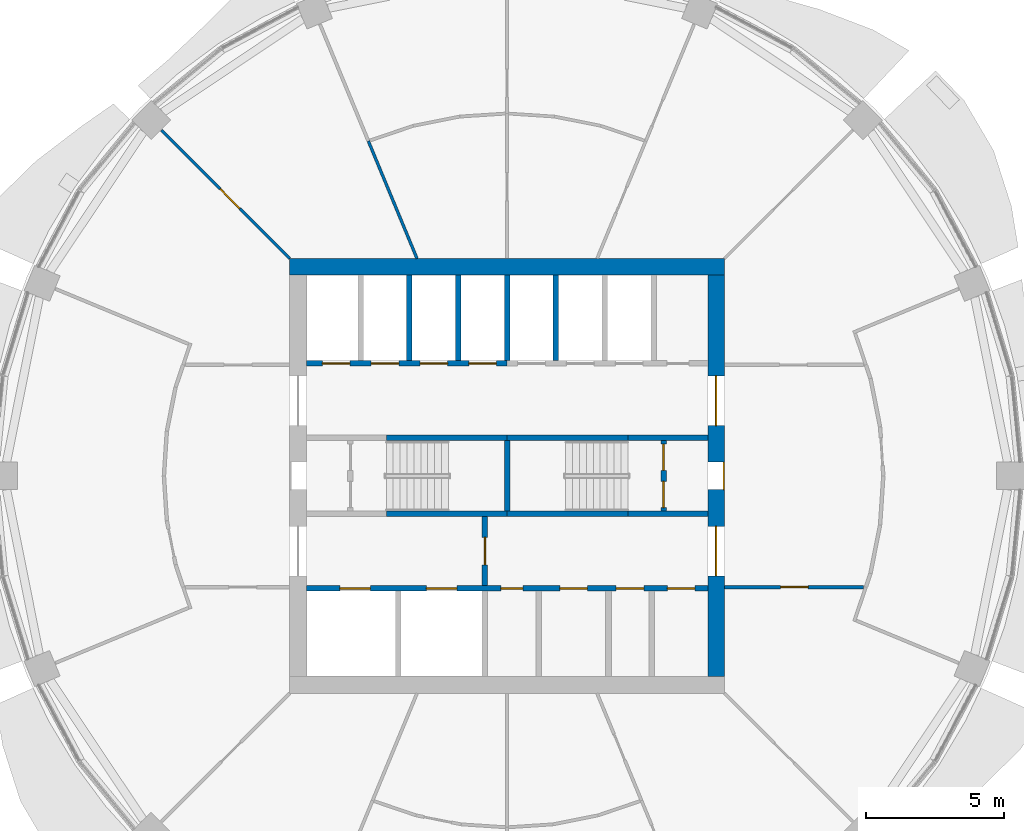
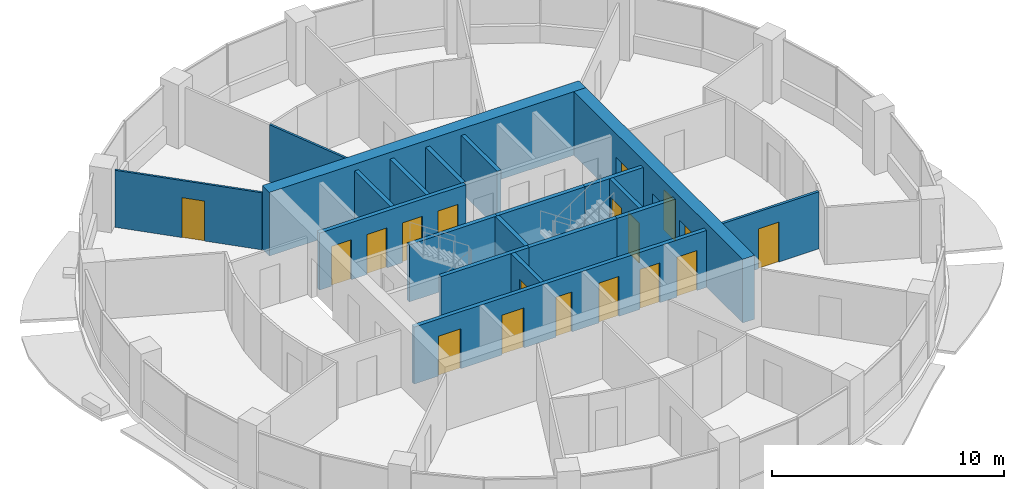
# One storey, part 9 of 15: 20 walls, 18 doors, 18 openings.
"""IFC4 building model written with IfcOpenShell, lengths in metres."""

from ifc_helpers import new_model, si_unit, direction, frame, frame_2d, origin, place, context, subcontext, project, spatial, rectangle, extrude, material, layer, layer_set, type_object, element, fill, save


model = new_model("IFC4")

# Units and contexts
model_context = context("Model", 3, precision=1e-05, world=origin(), true_north=direction((0.0, 1.0)))
body_context = subcontext(model_context, "Body", "Model", "MODEL_VIEW")
ifc_project = project(units=[si_unit("LENGTHUNIT", "METRE"), si_unit("AREAUNIT", "SQUARE_METRE"), si_unit("VOLUMEUNIT", "CUBIC_METRE"), si_unit("PLANEANGLEUNIT", "RADIAN"), si_unit("MASSUNIT", "GRAM", prefix="KILO")], contexts=[model_context])

# Site, building, storey
site_placement = place(None, origin())
site = spatial("IfcSite", under=ifc_project, at=site_placement, CompositionType="ELEMENT")
building_placement = place(site_placement, origin())
building = spatial("IfcBuilding", under=site, at=building_placement, Name="Polderwave Tower", CompositionType="ELEMENT")
storey_placement = place(building_placement, frame((0.0, 0.0, 154.449951171875)))
storey = spatial("IfcBuildingStorey", under=building, at=storey_placement, Name="L41", CompositionType="ELEMENT", Elevation=154.449951171875)

# Wall
ifc_material_1 = material(Name="Concrete C60/75", Category="concrete")
ifc_layer_1 = layer(ifc_material_1, 0.60009765625)
ifc_layer_set_1 = layer_set([ifc_layer_1], Name="CORE WALL 600 C60/75")
wall_type_1 = type_object("IfcWallType", Name="CORE WALL 600 C60/75", PredefinedType="SHEAR", material=ifc_layer_set_1)
wall_1_placement = place(storey_placement, frame((-7.8740234375, 7.573974609375, 0.0), z_axis=(0.0, 0.0, 1.0), x_axis=(1.0, 0.0, 0.0)))
element("IfcWall", 1, at=wall_1_placement, inside=storey, type_object=wall_type_1, Name="ST-CORE-L41-N", PredefinedType="SHEAR", context=body_context, shape_type="SweptSolid", body=[
    extrude(rectangle(XDim=15.748046875, YDim=0.60009765625, at=frame_2d((7.8740234375, 0.0))), origin(), (0.0, 0.0, 1.0), 3.35009765625),
])

# Wall, openings, doors
wall_2_placement = place(storey_placement, frame((7.573974609375, -7.27392578125, 0.0), z_axis=(0.0, 0.0, 1.0), x_axis=(0.0, 1.0, 0.0)))
wall_2 = element("IfcWall", 2, at=wall_2_placement, inside=storey, type_object=wall_type_1, Name="ST-CORE-L41-E", PredefinedType="SHEAR", context=body_context, shape_type="SweptSolid", body=[
    extrude(rectangle(XDim=14.5478515625, YDim=0.60009765625, at=frame_2d((7.27392578125, 0.0))), origin(), (0.0, 0.0, 1.0), 3.35009765625),
])
opening_1_placement = place(wall_2_placement, frame((6.77392578125, 0.0, 0.0)))
opening_1 = element("IfcOpeningElement", 3, at=opening_1_placement, cuts=wall_2, Name="Opening L41-D23", PredefinedType="OPENING", context=body_context, shape_type="SweptSolid", body=[
    extrude(rectangle(XDim=1.0, YDim=2.10009765625, at=frame_2d((0.5, 1.050048828125))), frame((0.0, 0.31005859375, 0.0), z_axis=(0.0, -1.0, 0.0), x_axis=(1.0, 0.0, 0.0)), (0.0, 0.0, 1.0), 0.6201171875),
])
opening_2_placement = place(wall_2_placement, frame((3.6494140625, 0.0, 0.0)))
opening_2 = element("IfcOpeningElement", 4, at=opening_2_placement, cuts=wall_2, Name="Opening L41-D24", PredefinedType="OPENING", context=body_context, shape_type="SweptSolid", body=[
    extrude(rectangle(XDim=1.800048828125, YDim=2.10009765625, at=frame_2d((0.89990234375, 1.050048828125))), frame((0.0, 0.31005859375, 0.0), z_axis=(0.0, -1.0, 0.0), x_axis=(1.0, 0.0, 0.0)), (0.0, 0.0, 1.0), 0.6201171875),
])
opening_3_placement = place(wall_2_placement, frame((9.098388671875, 0.0, 0.0)))
opening_3 = element("IfcOpeningElement", 5, at=opening_3_placement, cuts=wall_2, Name="Opening L41-D25", PredefinedType="OPENING", context=body_context, shape_type="SweptSolid", body=[
    extrude(rectangle(XDim=1.800048828125, YDim=2.10009765625, at=frame_2d((0.89990234375, 1.050048828125))), frame((0.0, 0.31005859375, 0.0), z_axis=(0.0, -1.0, 0.0), x_axis=(1.0, 0.0, 0.0)), (0.0, 0.0, 1.0), 0.6201171875),
])
ifc_material_2 = material(Name="Steel fire door", Category="steel")
door_type_1 = type_object("IfcDoorType", Name="Lobby entry door pair 1800", OperationType="DOUBLE_DOOR_SINGLE_SWING", PredefinedType="DOOR", material=ifc_material_2)
door_1_placement = place(opening_2_placement, frame((1.800048828125, 0.0, 0.0), z_axis=(0.0, 0.0, 1.0), x_axis=(-1.0, 0.0, 0.0)))
door_1 = element("IfcDoor", 6, at=door_1_placement, inside=storey, type_object=door_type_1, Name="South lobby entry door", OperationType="DOUBLE_DOOR_SINGLE_SWING", OverallHeight=2.10009765625, OverallWidth=1.800048828125, PredefinedType="DOOR", context=body_context, shape_type="SweptSolid", body=[
    extrude(rectangle(XDim=1.800048828125, YDim=2.10009765625, at=frame_2d((0.89990234375, 1.050048828125))), frame((0.0, 0.02490234375, 0.0), z_axis=(0.0, -1.0, 0.0), x_axis=(1.0, 0.0, 0.0)), (0.0, 0.0, 1.0), 0.050048828125),
])
fill(opening_2, door_1)
door_2_placement = place(opening_3_placement, frame((1.800048828125, 0.0, 0.0), z_axis=(0.0, 0.0, 1.0), x_axis=(-1.0, 0.0, 0.0)))
door_2 = element("IfcDoor", 7, at=door_2_placement, inside=storey, type_object=door_type_1, Name="North lobby entry door", OperationType="DOUBLE_DOOR_SINGLE_SWING", OverallHeight=2.10009765625, OverallWidth=1.800048828125, PredefinedType="DOOR", context=body_context, shape_type="SweptSolid", body=[
    extrude(rectangle(XDim=1.800048828125, YDim=2.10009765625, at=frame_2d((0.89990234375, 1.050048828125))), frame((0.0, 0.02490234375, 0.0), z_axis=(0.0, -1.0, 0.0), x_axis=(1.0, 0.0, 0.0)), (0.0, 0.0, 1.0), 0.050048828125),
])
fill(opening_3, door_2)
door_type_2 = type_object("IfcDoorType", Name="Stair door 1000", OperationType="NOTDEFINED", PredefinedType="DOOR", material=ifc_material_2)
door_3_placement = place(opening_1_placement, frame((1.0, 0.0, 0.0), z_axis=(0.0, 0.0, 1.0), x_axis=(-1.0, 0.0, 0.0)))
door_3 = element("IfcDoor", 8, at=door_3_placement, inside=storey, type_object=door_type_2, Name="Stair B entry door", OperationType="SINGLE_SWING_LEFT", OverallHeight=2.10009765625, OverallWidth=1.0, PredefinedType="DOOR", context=body_context, shape_type="SweptSolid", body=[
    extrude(rectangle(XDim=1.0, YDim=2.10009765625, at=frame_2d((0.5, 1.050048828125))), frame((0.0, 0.2998046875, 0.0), z_axis=(0.0, -1.0, 0.0), x_axis=(1.0, 0.0, 0.0)), (0.0, 0.0, 1.0), 0.050048828125),
])
fill(opening_1, door_3)

# Wall, opening, door
ifc_material_3 = material(Name="Gypsum board partition")
ifc_layer_2 = layer(ifc_material_3, 0.199951171875)
ifc_layer_set_2 = layer_set([ifc_layer_2], Name="Core room partition 200")
wall_type_2 = type_object("IfcWallType", Name="Core room partition 200", PredefinedType="PARTITIONING", material=ifc_layer_set_2)
wall_3_placement = place(storey_placement, frame((-0.800048828125, -3.97412109375, 0.0), z_axis=(0.0, 0.0, 1.0), x_axis=(0.0, 1.0, 0.0)))
wall_3 = element("IfcWall", 9, at=wall_3_placement, inside=storey, type_object=wall_type_2, Name="L41 fire-fighting lobby wall", PredefinedType="PARTITIONING", context=body_context, shape_type="SweptSolid", body=[
    extrude(rectangle(XDim=2.4990234375, YDim=0.199951171875, at=frame_2d((1.24951171875, 0.0))), origin(), (0.0, 0.0, 1.0), 3.0),
])
opening_4_placement = place(wall_3_placement, frame((0.74951171875, 0.0, 0.0)))
opening_4 = element("IfcOpeningElement", 10, at=opening_4_placement, cuts=wall_3, Name="Opening L41-D14", PredefinedType="OPENING", context=body_context, shape_type="SweptSolid", body=[
    extrude(rectangle(XDim=1.0, YDim=2.10009765625, at=frame_2d((0.5, 1.050048828125))), frame((0.0, 0.10986328125, 0.0), z_axis=(0.0, -1.0, 0.0), x_axis=(1.0, 0.0, 0.0)), (0.0, 0.0, 1.0), 0.219970703125),
])
door_type_3 = type_object("IfcDoorType", Name="Lobby fire door 1000", OperationType="NOTDEFINED", PredefinedType="DOOR", material=ifc_material_2)
door_4_placement = place(opening_4_placement, frame((1.0, 0.0, 0.0), z_axis=(0.0, 0.0, 1.0), x_axis=(-1.0, 0.0, 0.0)))
door_4 = element("IfcDoor", 11, at=door_4_placement, inside=storey, type_object=door_type_3, Name="Fire-fighting lobby door", OperationType="SINGLE_SWING_LEFT", OverallHeight=2.10009765625, OverallWidth=1.0, PredefinedType="DOOR", context=body_context, shape_type="SweptSolid", body=[
    extrude(rectangle(XDim=1.0, YDim=2.10009765625, at=frame_2d((0.5, 1.050048828125))), frame((0.0, 0.02490234375, 0.0), z_axis=(0.0, -1.0, 0.0), x_axis=(1.0, 0.0, 0.0)), (0.0, 0.0, 1.0), 0.050048828125),
])
fill(opening_4, door_4)

# Wall, openings, doors
wall_4_placement = place(storey_placement, frame((5.674072265625, -1.27490234375, 0.0), z_axis=(0.0, 0.0, 1.0), x_axis=(0.0, 1.0, 0.0)))
wall_4 = element("IfcWall", 12, at=wall_4_placement, inside=storey, type_object=wall_type_2, Name="L41 smoke lobby wall B", PredefinedType="PARTITIONING", context=body_context, shape_type="SweptSolid", body=[
    extrude(rectangle(XDim=2.5498046875, YDim=0.199951171875, at=frame_2d((1.27490234375, 0.0))), origin(), (0.0, 0.0, 1.0), 3.0),
])
opening_5_placement = place(wall_4_placement, frame((0.125, 0.0, 0.0)))
opening_5 = element("IfcOpeningElement", 13, at=opening_5_placement, cuts=wall_4, Name="Opening L41-D12", PredefinedType="OPENING", context=body_context, shape_type="SweptSolid", body=[
    extrude(rectangle(XDim=0.949951171875, YDim=2.10009765625, at=frame_2d((0.47509765625, 1.050048828125))), frame((0.0, 0.10986328125, 0.0), z_axis=(0.0, -1.0, 0.0), x_axis=(1.0, 0.0, 0.0)), (0.0, 0.0, 1.0), 0.219970703125),
])
opening_6_placement = place(wall_4_placement, frame((1.47509765625, 0.0, 0.0)))
opening_6 = element("IfcOpeningElement", 14, at=opening_6_placement, cuts=wall_4, Name="Opening L41-D13", PredefinedType="OPENING", context=body_context, shape_type="SweptSolid", body=[
    extrude(rectangle(XDim=0.949951171875, YDim=2.10009765625, at=frame_2d((0.47509765625, 1.050048828125))), frame((0.0, 0.10986328125, 0.0), z_axis=(0.0, -1.0, 0.0), x_axis=(1.0, 0.0, 0.0)), (0.0, 0.0, 1.0), 0.219970703125),
])
door_type_4 = type_object("IfcDoorType", Name="Smoke lobby door 950", OperationType="NOTDEFINED", PredefinedType="DOOR", material=ifc_material_2)
door_5_placement = place(opening_5_placement, frame((0.949951171875, 0.0, 0.0), z_axis=(0.0, 0.0, 1.0), x_axis=(-1.0, 0.0, 0.0)))
door_5 = element("IfcDoor", 15, at=door_5_placement, inside=storey, type_object=door_type_4, Name="Stair B smoke lobby inner door", OperationType="SINGLE_SWING_RIGHT", OverallHeight=2.10009765625, OverallWidth=0.949951171875, PredefinedType="DOOR", context=body_context, shape_type="SweptSolid", body=[
    extrude(rectangle(XDim=0.949951171875, YDim=2.10009765625, at=frame_2d((0.47509765625, 1.050048828125))), frame((0.0, 0.02490234375, 0.0), z_axis=(0.0, -1.0, 0.0), x_axis=(1.0, 0.0, 0.0)), (0.0, 0.0, 1.0), 0.050048828125),
])
fill(opening_5, door_5)
door_6_placement = place(opening_6_placement, frame((0.949951171875, 0.0, 0.0), z_axis=(0.0, 0.0, 1.0), x_axis=(-1.0, 0.0, 0.0)))
door_6 = element("IfcDoor", 16, at=door_6_placement, inside=storey, type_object=door_type_4, Name="Stair B smoke lobby inner door", OperationType="SINGLE_SWING_LEFT", OverallHeight=2.10009765625, OverallWidth=0.949951171875, PredefinedType="DOOR", context=body_context, shape_type="SweptSolid", body=[
    extrude(rectangle(XDim=0.949951171875, YDim=2.10009765625, at=frame_2d((0.47509765625, 1.050048828125))), frame((0.0, 0.02490234375, 0.0), z_axis=(0.0, -1.0, 0.0), x_axis=(1.0, 0.0, 0.0)), (0.0, 0.0, 1.0), 0.050048828125),
])
fill(opening_6, door_6)

ifc_material_4 = material(Name="Concrete C50/60", Category="concrete")
ifc_layer_3 = layer(ifc_material_4, 0.199951171875)
ifc_layer_set_3 = layer_set([ifc_layer_3], Name="Core web wall 200")
wall_type_3 = type_object("IfcWallType", Name="Core web wall 200", PredefinedType="SHEAR", material=ifc_layer_set_3)
wall_5_placement = place(storey_placement, frame((-7.27392578125, -4.073974609375, 0.0), z_axis=(0.0, 0.0, 1.0), x_axis=(1.0, 0.0, 0.0)))
wall_5 = element("IfcWall", 17, at=wall_5_placement, inside=storey, type_object=wall_type_3, Name="L41 south front wall", PredefinedType="SHEAR", context=body_context, shape_type="SweptSolid", body=[
    extrude(rectangle(XDim=14.5478515625, YDim=0.199951171875, at=frame_2d((7.27392578125, 0.0))), origin(), (0.0, 0.0, 1.0), 3.0),
])
opening_7_placement = place(wall_5_placement, frame((1.218505859375, 0.0, 0.0)))
opening_7 = element("IfcOpeningElement", 18, at=opening_7_placement, cuts=wall_5, Name="Opening L41-D01", PredefinedType="OPENING", context=body_context, shape_type="SweptSolid", body=[
    extrude(rectangle(XDim=1.10009765625, YDim=2.10009765625, at=frame_2d((0.550048828125, 1.050048828125))), frame((0.0, 0.10986328125, 0.0), z_axis=(0.0, -1.0, 0.0), x_axis=(1.0, 0.0, 0.0)), (0.0, 0.0, 1.0), 0.219970703125),
])
opening_8_placement = place(wall_5_placement, frame((4.35546875, 0.0, 0.0)))
opening_8 = element("IfcOpeningElement", 19, at=opening_8_placement, cuts=wall_5, Name="Opening L41-D02", PredefinedType="OPENING", context=body_context, shape_type="SweptSolid", body=[
    extrude(rectangle(XDim=1.10009765625, YDim=2.10009765625, at=frame_2d((0.550048828125, 1.050048828125))), frame((0.0, 0.10986328125, 0.0), z_axis=(0.0, -1.0, 0.0), x_axis=(1.0, 0.0, 0.0)), (0.0, 0.0, 1.0), 0.219970703125),
])
opening_9_placement = place(wall_5_placement, frame((7.047119140625, 0.0, 0.0)))
opening_9 = element("IfcOpeningElement", 20, at=opening_9_placement, cuts=wall_5, Name="Opening L41-D15", PredefinedType="OPENING", context=body_context, shape_type="SweptSolid", body=[
    extrude(rectangle(XDim=0.800048828125, YDim=2.10009765625, at=frame_2d((0.39990234375, 1.050048828125))), frame((0.0, 0.10986328125, 0.0), z_axis=(0.0, -1.0, 0.0), x_axis=(1.0, 0.0, 0.0)), (0.0, 0.0, 1.0), 0.219970703125),
])
opening_10_placement = place(wall_5_placement, frame((9.184814453125, 0.0, 0.0)))
opening_10 = element("IfcOpeningElement", 21, at=opening_10_placement, cuts=wall_5, Name="Opening L41-D16", PredefinedType="OPENING", context=body_context, shape_type="SweptSolid", body=[
    extrude(rectangle(XDim=1.0, YDim=2.10009765625, at=frame_2d((0.5, 1.050048828125))), frame((0.0, 0.10986328125, 0.0), z_axis=(0.0, -1.0, 0.0), x_axis=(1.0, 0.0, 0.0)), (0.0, 0.0, 1.0), 0.219970703125),
])
opening_11_placement = place(wall_5_placement, frame((11.228271484375, 0.0, 0.0)))
opening_11 = element("IfcOpeningElement", 22, at=opening_11_placement, cuts=wall_5, Name="Opening L41-D17", PredefinedType="OPENING", context=body_context, shape_type="SweptSolid", body=[
    extrude(rectangle(XDim=1.0, YDim=2.10009765625, at=frame_2d((0.5, 1.050048828125))), frame((0.0, 0.10986328125, 0.0), z_axis=(0.0, -1.0, 0.0), x_axis=(1.0, 0.0, 0.0)), (0.0, 0.0, 1.0), 0.219970703125),
])
opening_12_placement = place(wall_5_placement, frame((13.07763671875, 0.0, 0.0)))
opening_12 = element("IfcOpeningElement", 23, at=opening_12_placement, cuts=wall_5, Name="Opening L41-D18", PredefinedType="OPENING", context=body_context, shape_type="SweptSolid", body=[
    extrude(rectangle(XDim=1.0, YDim=2.10009765625, at=frame_2d((0.5, 1.050048828125))), frame((0.0, 0.10986328125, 0.0), z_axis=(0.0, -1.0, 0.0), x_axis=(1.0, 0.0, 0.0)), (0.0, 0.0, 1.0), 0.219970703125),
])
ifc_material_5 = material(Name="Stainless steel", Category="steel")
door_type_5 = type_object("IfcDoorType", Name="Fire-fighting lift landing door 1100", OperationType="DOUBLE_DOOR_SLIDING", PredefinedType="DOOR", material=ifc_material_5)
door_7_placement = place(opening_7_placement, origin())
door_7 = element("IfcDoor", 24, at=door_7_placement, inside=storey, type_object=door_type_5, Name="Fire-fighting lift FF1 landing door", OperationType="DOUBLE_DOOR_SLIDING", OverallHeight=2.10009765625, OverallWidth=1.10009765625, PredefinedType="DOOR", context=body_context, shape_type="SweptSolid", body=[
    extrude(rectangle(XDim=1.10009765625, YDim=2.10009765625, at=frame_2d((0.550048828125, 1.050048828125))), frame((0.0, 0.02490234375, 0.0), z_axis=(0.0, -1.0, 0.0), x_axis=(1.0, 0.0, 0.0)), (0.0, 0.0, 1.0), 0.050048828125),
])
fill(opening_7, door_7)
door_8_placement = place(opening_8_placement, origin())
door_8 = element("IfcDoor", 25, at=door_8_placement, inside=storey, type_object=door_type_5, Name="Fire-fighting lift FF2 landing door", OperationType="DOUBLE_DOOR_SLIDING", OverallHeight=2.10009765625, OverallWidth=1.10009765625, PredefinedType="DOOR", context=body_context, shape_type="SweptSolid", body=[
    extrude(rectangle(XDim=1.10009765625, YDim=2.10009765625, at=frame_2d((0.550048828125, 1.050048828125))), frame((0.0, 0.02490234375, 0.0), z_axis=(0.0, -1.0, 0.0), x_axis=(1.0, 0.0, 0.0)), (0.0, 0.0, 1.0), 0.050048828125),
])
fill(opening_8, door_8)
door_type_6 = type_object("IfcDoorType", Name="Riser door 800", OperationType="NOTDEFINED", PredefinedType="DOOR", material=ifc_material_2)
door_9_placement = place(opening_9_placement, origin())
door_9 = element("IfcDoor", 26, at=door_9_placement, inside=storey, type_object=door_type_6, Name="Communications room door", OperationType="SINGLE_SWING_RIGHT", OverallHeight=2.10009765625, OverallWidth=0.800048828125, PredefinedType="DOOR", context=body_context, shape_type="SweptSolid", body=[
    extrude(rectangle(XDim=0.800048828125, YDim=2.10009765625, at=frame_2d((0.39990234375, 1.050048828125))), frame((0.0, 0.02490234375, 0.0), z_axis=(0.0, -1.0, 0.0), x_axis=(1.0, 0.0, 0.0)), (0.0, 0.0, 1.0), 0.050048828125),
])
fill(opening_9, door_9)
ifc_material_6 = material(Name="Timber door leaf", Category="wood")
door_type_7 = type_object("IfcDoorType", Name="Room door 1000", OperationType="NOTDEFINED", PredefinedType="DOOR", material=ifc_material_6)
door_10_placement = place(opening_10_placement, frame((1.0, 0.0, 0.0), z_axis=(0.0, 0.0, 1.0), x_axis=(-1.0, 0.0, 0.0)))
door_10 = element("IfcDoor", 27, at=door_10_placement, inside=storey, type_object=door_type_7, Name="Store door", OperationType="SINGLE_SWING_LEFT", OverallHeight=2.10009765625, OverallWidth=1.0, PredefinedType="DOOR", context=body_context, shape_type="SweptSolid", body=[
    extrude(rectangle(XDim=1.0, YDim=2.10009765625, at=frame_2d((0.5, 1.050048828125))), frame((0.0, 0.02490234375, 0.0), z_axis=(0.0, -1.0, 0.0), x_axis=(1.0, 0.0, 0.0)), (0.0, 0.0, 1.0), 0.050048828125),
])
fill(opening_10, door_10)
door_11_placement = place(opening_11_placement, frame((1.0, 0.0, 0.0), z_axis=(0.0, 0.0, 1.0), x_axis=(-1.0, 0.0, 0.0)))
door_11 = element("IfcDoor", 28, at=door_11_placement, inside=storey, type_object=door_type_7, Name="Staff WC door", OperationType="SINGLE_SWING_LEFT", OverallHeight=2.10009765625, OverallWidth=1.0, PredefinedType="DOOR", context=body_context, shape_type="SweptSolid", body=[
    extrude(rectangle(XDim=1.0, YDim=2.10009765625, at=frame_2d((0.5, 1.050048828125))), frame((0.0, 0.02490234375, 0.0), z_axis=(0.0, -1.0, 0.0), x_axis=(1.0, 0.0, 0.0)), (0.0, 0.0, 1.0), 0.050048828125),
])
fill(opening_11, door_11)
door_12_placement = place(opening_12_placement, frame((1.0, 0.0, 0.0), z_axis=(0.0, 0.0, 1.0), x_axis=(-1.0, 0.0, 0.0)))
door_12 = element("IfcDoor", 29, at=door_12_placement, inside=storey, type_object=door_type_7, Name="Housekeeping store door", OperationType="SINGLE_SWING_LEFT", OverallHeight=2.10009765625, OverallWidth=1.0, PredefinedType="DOOR", context=body_context, shape_type="SweptSolid", body=[
    extrude(rectangle(XDim=1.0, YDim=2.10009765625, at=frame_2d((0.5, 1.050048828125))), frame((0.0, 0.02490234375, 0.0), z_axis=(0.0, -1.0, 0.0), x_axis=(1.0, 0.0, 0.0)), (0.0, 0.0, 1.0), 0.050048828125),
])
fill(opening_12, door_12)

wall_6_placement = place(storey_placement, frame((-7.27392578125, 4.073974609375, 0.0), z_axis=(0.0, 0.0, 1.0), x_axis=(1.0, 0.0, 0.0)))
wall_6 = element("IfcWall", 30, at=wall_6_placement, inside=storey, type_object=wall_type_3, Name="L41 north front wall 1", PredefinedType="SHEAR", context=body_context, shape_type="SweptSolid", body=[
    extrude(rectangle(XDim=7.27392578125, YDim=0.199951171875, at=frame_2d((3.636962890625, 0.0))), origin(), (0.0, 0.0, 1.0), 3.0),
])
opening_13_placement = place(wall_6_placement, frame((0.584228515625, 0.0, 0.0)))
opening_13 = element("IfcOpeningElement", 31, at=opening_13_placement, cuts=wall_6, Name="Opening L41-D03", PredefinedType="OPENING", context=body_context, shape_type="SweptSolid", body=[
    extrude(rectangle(XDim=1.0, YDim=2.10009765625, at=frame_2d((0.5, 1.050048828125))), frame((0.0, 0.10986328125, 0.0), z_axis=(0.0, -1.0, 0.0), x_axis=(1.0, 0.0, 0.0)), (0.0, 0.0, 1.0), 0.219970703125),
])
opening_14_placement = place(wall_6_placement, frame((2.352783203125, 0.0, 0.0)))
opening_14 = element("IfcOpeningElement", 32, at=opening_14_placement, cuts=wall_6, Name="Opening L41-D04", PredefinedType="OPENING", context=body_context, shape_type="SweptSolid", body=[
    extrude(rectangle(XDim=1.0, YDim=2.10009765625, at=frame_2d((0.5, 1.050048828125))), frame((0.0, 0.10986328125, 0.0), z_axis=(0.0, -1.0, 0.0), x_axis=(1.0, 0.0, 0.0)), (0.0, 0.0, 1.0), 0.219970703125),
])
opening_15_placement = place(wall_6_placement, frame((4.12109375, 0.0, 0.0)))
opening_15 = element("IfcOpeningElement", 33, at=opening_15_placement, cuts=wall_6, Name="Opening L41-D05", PredefinedType="OPENING", context=body_context, shape_type="SweptSolid", body=[
    extrude(rectangle(XDim=1.0, YDim=2.10009765625, at=frame_2d((0.5, 1.050048828125))), frame((0.0, 0.10986328125, 0.0), z_axis=(0.0, -1.0, 0.0), x_axis=(1.0, 0.0, 0.0)), (0.0, 0.0, 1.0), 0.219970703125),
])
opening_16_placement = place(wall_6_placement, frame((5.889892578125, 0.0, 0.0)))
opening_16 = element("IfcOpeningElement", 34, at=opening_16_placement, cuts=wall_6, Name="Opening L41-D06", PredefinedType="OPENING", context=body_context, shape_type="SweptSolid", body=[
    extrude(rectangle(XDim=1.0, YDim=2.10009765625, at=frame_2d((0.5, 1.050048828125))), frame((0.0, 0.10986328125, 0.0), z_axis=(0.0, -1.0, 0.0), x_axis=(1.0, 0.0, 0.0)), (0.0, 0.0, 1.0), 0.219970703125),
])
door_type_8 = type_object("IfcDoorType", Name="Lift landing door 1000", OperationType="DOUBLE_DOOR_SLIDING", PredefinedType="DOOR", material=ifc_material_5)
door_13_placement = place(opening_13_placement, frame((1.0, 0.0, 0.0), z_axis=(0.0, 0.0, 1.0), x_axis=(-1.0, 0.0, 0.0)))
door_13 = element("IfcDoor", 35, at=door_13_placement, inside=storey, type_object=door_type_8, Name="Lift HL1 landing door", OperationType="DOUBLE_DOOR_SLIDING", OverallHeight=2.10009765625, OverallWidth=1.0, PredefinedType="DOOR", context=body_context, shape_type="SweptSolid", body=[
    extrude(rectangle(XDim=1.0, YDim=2.10009765625, at=frame_2d((0.5, 1.050048828125))), frame((0.0, 0.02490234375, 0.0), z_axis=(0.0, -1.0, 0.0), x_axis=(1.0, 0.0, 0.0)), (0.0, 0.0, 1.0), 0.050048828125),
])
fill(opening_13, door_13)
door_14_placement = place(opening_14_placement, frame((1.0, 0.0, 0.0), z_axis=(0.0, 0.0, 1.0), x_axis=(-1.0, 0.0, 0.0)))
door_14 = element("IfcDoor", 36, at=door_14_placement, inside=storey, type_object=door_type_8, Name="Lift HL2 landing door", OperationType="DOUBLE_DOOR_SLIDING", OverallHeight=2.10009765625, OverallWidth=1.0, PredefinedType="DOOR", context=body_context, shape_type="SweptSolid", body=[
    extrude(rectangle(XDim=1.0, YDim=2.10009765625, at=frame_2d((0.5, 1.050048828125))), frame((0.0, 0.02490234375, 0.0), z_axis=(0.0, -1.0, 0.0), x_axis=(1.0, 0.0, 0.0)), (0.0, 0.0, 1.0), 0.050048828125),
])
fill(opening_14, door_14)
door_15_placement = place(opening_15_placement, frame((1.0, 0.0, 0.0), z_axis=(0.0, 0.0, 1.0), x_axis=(-1.0, 0.0, 0.0)))
door_15 = element("IfcDoor", 37, at=door_15_placement, inside=storey, type_object=door_type_8, Name="Lift HL3 landing door", OperationType="DOUBLE_DOOR_SLIDING", OverallHeight=2.10009765625, OverallWidth=1.0, PredefinedType="DOOR", context=body_context, shape_type="SweptSolid", body=[
    extrude(rectangle(XDim=1.0, YDim=2.10009765625, at=frame_2d((0.5, 1.050048828125))), frame((0.0, 0.02490234375, 0.0), z_axis=(0.0, -1.0, 0.0), x_axis=(1.0, 0.0, 0.0)), (0.0, 0.0, 1.0), 0.050048828125),
])
fill(opening_15, door_15)
door_16_placement = place(opening_16_placement, frame((1.0, 0.0, 0.0), z_axis=(0.0, 0.0, 1.0), x_axis=(-1.0, 0.0, 0.0)))
door_16 = element("IfcDoor", 38, at=door_16_placement, inside=storey, type_object=door_type_8, Name="Lift HL4 landing door", OperationType="DOUBLE_DOOR_SLIDING", OverallHeight=2.10009765625, OverallWidth=1.0, PredefinedType="DOOR", context=body_context, shape_type="SweptSolid", body=[
    extrude(rectangle(XDim=1.0, YDim=2.10009765625, at=frame_2d((0.5, 1.050048828125))), frame((0.0, 0.02490234375, 0.0), z_axis=(0.0, -1.0, 0.0), x_axis=(1.0, 0.0, 0.0)), (0.0, 0.0, 1.0), 0.050048828125),
])
fill(opening_16, door_16)

# Walls
for number, where, z_axis, x_axis, name in (
    (39, (-4.3740234375, -1.375, 0.0), (0.0, 0.0, 1.0), (1.0, 0.0, 0.0), "L41 south stair wall 2"),
    (40, (0.0, -1.375, 0.0), (0.0, 0.0, 1.0), (1.0, 0.0, 0.0), "L41 south stair wall 3"),
):
    element("IfcWall", number, at=place(storey_placement, frame(where, z_axis=z_axis, x_axis=x_axis)), inside=storey, type_object=wall_type_3, Name=name, PredefinedType="SHEAR", context=body_context, shape_type="SweptSolid", body=[
        extrude(rectangle(XDim=4.3740234375, YDim=0.199951171875, at=frame_2d((2.18701171875, 0.0))), origin(), (0.0, 0.0, 1.0), 3.0),
    ])
wall_7_placement = place(storey_placement, frame((4.3740234375, -1.375, 0.0), z_axis=(0.0, 0.0, 1.0), x_axis=(1.0, 0.0, 0.0)))
element("IfcWall", 41, at=wall_7_placement, inside=storey, type_object=wall_type_3, Name="L41 south stair wall 4", PredefinedType="SHEAR", context=body_context, shape_type="SweptSolid", body=[
    extrude(rectangle(XDim=2.89990234375, YDim=0.199951171875, at=frame_2d((1.449951171875, 0.0))), origin(), (0.0, 0.0, 1.0), 3.0),
])
for number, where, z_axis, x_axis, name in (
    (42, (-4.3740234375, 1.375, 0.0), (0.0, 0.0, 1.0), (1.0, 0.0, 0.0), "L41 north stair wall 2"),
    (43, (0.0, 1.375, 0.0), (0.0, 0.0, 1.0), (1.0, 0.0, 0.0), "L41 north stair wall 3"),
):
    element("IfcWall", number, at=place(storey_placement, frame(where, z_axis=z_axis, x_axis=x_axis)), inside=storey, type_object=wall_type_3, Name=name, PredefinedType="SHEAR", context=body_context, shape_type="SweptSolid", body=[
        extrude(rectangle(XDim=4.3740234375, YDim=0.199951171875, at=frame_2d((2.18701171875, 0.0))), origin(), (0.0, 0.0, 1.0), 3.0),
    ])
wall_8_placement = place(storey_placement, frame((4.3740234375, 1.375, 0.0), z_axis=(0.0, 0.0, 1.0), x_axis=(1.0, 0.0, 0.0)))
element("IfcWall", 44, at=wall_8_placement, inside=storey, type_object=wall_type_3, Name="L41 north stair wall 4", PredefinedType="SHEAR", context=body_context, shape_type="SweptSolid", body=[
    extrude(rectangle(XDim=2.89990234375, YDim=0.199951171875, at=frame_2d((1.449951171875, 0.0))), origin(), (0.0, 0.0, 1.0), 3.0),
])
wall_9_placement = place(storey_placement, frame((0.0, -1.27490234375, 0.0), z_axis=(0.0, 0.0, 1.0), x_axis=(0.0, 1.0, 0.0)))
element("IfcWall", 45, at=wall_9_placement, inside=storey, type_object=wall_type_3, Name="L41 wall between the stairs", PredefinedType="SHEAR", context=body_context, shape_type="SweptSolid", body=[
    extrude(rectangle(XDim=2.5498046875, YDim=0.199951171875, at=frame_2d((1.27490234375, 0.0))), origin(), (0.0, 0.0, 1.0), 3.0),
])

# Wall, opening, door
ifc_material_7 = material(Name="Fire-resisting board on steel studs", Category="steel")
ifc_layer_4 = layer(ifc_material_7, 0.125)
ifc_layer_set_4 = layer_set([ifc_layer_4], Name="Corridor wall 125 mm EI 60")
wall_type_4 = type_object("IfcWallType", Name="Corridor wall 125 mm EI 60", PredefinedType="PARTITIONING", material=ifc_layer_set_4)
wall_10_placement = place(storey_placement, frame((12.90966796875, -4.0244140625, 0.0), z_axis=(0.0, 0.0, 1.0), x_axis=(-1.0, 0.0, 0.0)))
wall_10 = element("IfcWall", 46, at=wall_10_placement, inside=storey, type_object=wall_type_4, Name="IN-L41-W008", PredefinedType="PARTITIONING", context=body_context, shape_type="SweptSolid", body=[
    extrude(rectangle(XDim=5.03564453125, YDim=0.125, at=frame_2d((2.517822265625, 0.0))), origin(), (0.0, 0.0, 1.0), 3.0),
])
opening_17_placement = place(wall_10_placement, frame((2.0, 0.0, 0.0)))
opening_17 = element("IfcOpeningElement", 47, at=opening_17_placement, cuts=wall_10, Name="Opening L41-D52", PredefinedType="OPENING", context=body_context, shape_type="SweptSolid", body=[
    extrude(rectangle(XDim=1.0, YDim=2.10009765625, at=frame_2d((0.5, 1.050048828125))), frame((0.0, 0.072509765625, 0.0), z_axis=(0.0, -1.0, 0.0), x_axis=(1.0, 0.0, 0.0)), (0.0, 0.0, 1.0), 0.14501953125),
])
ifc_material_8 = material(Name="Timber fire door leaf", Category="wood")
door_type_9 = type_object("IfcDoorType", Name="Fire door FD30S 1000 x 2100", OperationType="NOTDEFINED", PredefinedType="DOOR", material=ifc_material_8)
door_17_placement = place(opening_17_placement, origin())
door_17 = element("IfcDoor", 48, at=door_17_placement, inside=storey, type_object=door_type_9, Name="Door L41-D52", OperationType="SINGLE_SWING_LEFT", OverallHeight=2.10009765625, OverallWidth=1.0, PredefinedType="DOOR", context=body_context, shape_type="SweptSolid", body=[
    extrude(rectangle(XDim=1.0, YDim=2.10009765625, at=frame_2d((0.5, 1.050048828125))), frame((0.0, 0.02490234375, 0.0), z_axis=(0.0, -1.0, 0.0), x_axis=(1.0, 0.0, 0.0)), (0.0, 0.0, 1.0), 0.050048828125),
])
fill(opening_17, door_17)

ifc_material_9 = material(Name="Plasterboard on steel studs", Category="steel")
ifc_layer_5 = layer(ifc_material_9, 0.10009765625)
ifc_layer_set_5 = layer_set([ifc_layer_5], Name="Partition 100 mm plasterboard on steel studs")
wall_type_5 = type_object("IfcWallType", Name="Partition 100 mm plasterboard on steel studs", PredefinedType="PARTITIONING", material=ifc_layer_set_5)
wall_11_placement = place(storey_placement, frame((-12.515869140625, 12.515869140625, 0.0), z_axis=(0.0, 0.0, 1.0), x_axis=(0.707106781187, -0.707106781187, 0.0)))
wall_11 = element("IfcWall", 49, at=wall_11_placement, inside=storey, type_object=wall_type_5, Name="IN-L41-W034", PredefinedType="PARTITIONING", context=body_context, shape_type="SweptSolid", body=[
    extrude(rectangle(XDim=6.564453125, YDim=0.10009765625, at=frame_2d((3.2822265625, 0.0))), origin(), (0.0, 0.0, 1.0), 3.0),
])
opening_18_placement = place(wall_11_placement, frame((3.0, 0.0, 0.0)))
opening_18 = element("IfcOpeningElement", 50, at=opening_18_placement, cuts=wall_11, Name="Opening L41-D61", PredefinedType="OPENING", context=body_context, shape_type="SweptSolid", body=[
    extrude(rectangle(XDim=1.0, YDim=2.10009765625, at=frame_2d((0.5, 1.050048828125))), frame((0.0, 0.06005859375, 0.0), z_axis=(0.0, -1.0, 0.0), x_axis=(1.0, 0.0, 0.0)), (0.0, 0.0, 1.0), 0.1201171875),
])
ifc_material_10 = material(Name="Timber veneer door leaf", Category="wood")
door_type_10 = type_object("IfcDoorType", Name="Single door 1000 x 2100", OperationType="NOTDEFINED", PredefinedType="DOOR", material=ifc_material_10)
door_18_placement = place(opening_18_placement, origin())
door_18 = element("IfcDoor", 51, at=door_18_placement, inside=storey, type_object=door_type_10, Name="Door L41-D61", OperationType="SINGLE_SWING_RIGHT", OverallHeight=2.10009765625, OverallWidth=1.0, PredefinedType="DOOR", context=body_context, shape_type="SweptSolid", body=[
    extrude(rectangle(XDim=1.0, YDim=2.10009765625, at=frame_2d((0.5, 1.050048828125))), frame((0.0, 0.02490234375, 0.0), z_axis=(0.0, -1.0, 0.0), x_axis=(1.0, 0.0, 0.0)), (0.0, 0.0, 1.0), 0.050048828125),
])
fill(opening_18, door_18)

# Walls
ifc_material_11 = material(Name="Moisture-resistant board on steel studs, tiled", Category="steel")
ifc_layer_6 = layer(ifc_material_11, 0.10498046875)
ifc_layer_set_6 = layer_set([ifc_layer_6], Name="Partition 105 mm wet room board and tile")
wall_type_6 = type_object("IfcWallType", Name="Partition 105 mm wet room board and tile", PredefinedType="PARTITIONING", material=ifc_layer_set_6)
wall_12_placement = place(storey_placement, frame((-3.261474609375, 7.8740234375, 0.0), z_axis=(0.0, 0.0, 1.0), x_axis=(-0.382691869474, 0.923876037701, 0.0)))
element("IfcWall", 52, at=wall_12_placement, inside=storey, type_object=wall_type_6, Name="IN-L41-W032", PredefinedType="PARTITIONING", context=body_context, shape_type="SweptSolid", body=[
    extrude(rectangle(XDim=4.607421875, YDim=0.10498046875, at=frame_2d((2.3037109375, 0.0))), origin(), (0.0, 0.0, 1.0), 3.0),
])
ifc_material_12 = material(Name="Gypsum shaft wall system")
ifc_layer_7 = layer(ifc_material_12, 0.199951171875)
ifc_layer_set_7 = layer_set([ifc_layer_7], Name="Shaft wall 200")
wall_type_7 = type_object("IfcWallType", Name="Shaft wall 200", PredefinedType="PARTITIONING", material=ifc_layer_set_7)
for number, where, z_axis, x_axis, name in (
    (53, (-3.537109375, 4.174072265625, 0.0), (0.0, 0.0, 1.0), (0.0, 1.0, 0.0), "L41 lift shaft wall N2"),
    (54, (-1.7685546875, 4.174072265625, 0.0), (0.0, 0.0, 1.0), (0.0, 1.0, 0.0), "L41 lift shaft wall N3"),
    (55, (0.0, 4.174072265625, 0.0), (0.0, 0.0, 1.0), (0.0, 1.0, 0.0), "L41 lift shaft wall N4"),
    (56, (1.7685546875, 4.174072265625, 0.0), (0.0, 0.0, 1.0), (0.0, 1.0, 0.0), "L41 lift shaft wall N5"),
):
    element("IfcWall", number, at=place(storey_placement, frame(where, z_axis=z_axis, x_axis=x_axis)), inside=storey, type_object=wall_type_7, Name=name, PredefinedType="PARTITIONING", context=body_context, shape_type="SweptSolid", body=[
        extrude(rectangle(XDim=3.099853515625, YDim=0.199951171875, at=frame_2d((1.5498046875, 0.0))), origin(), (0.0, 0.0, 1.0), 3.0),
    ])

save(model, "model.ifc")
